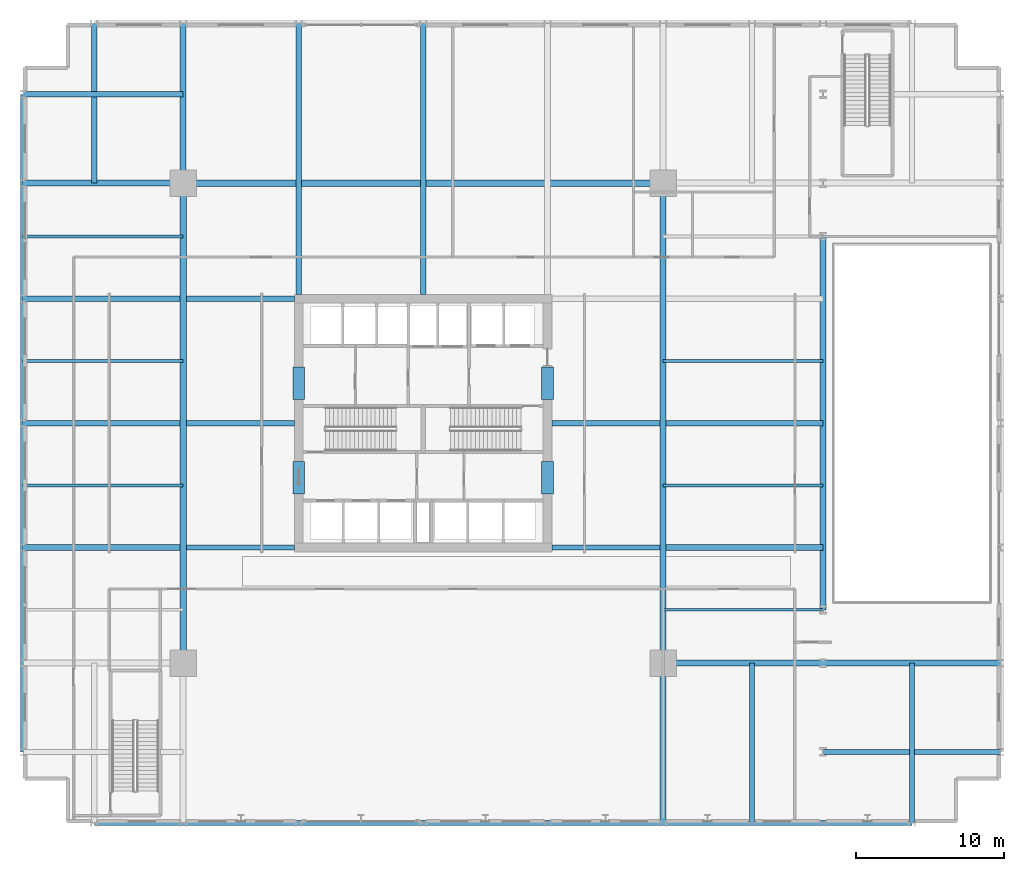
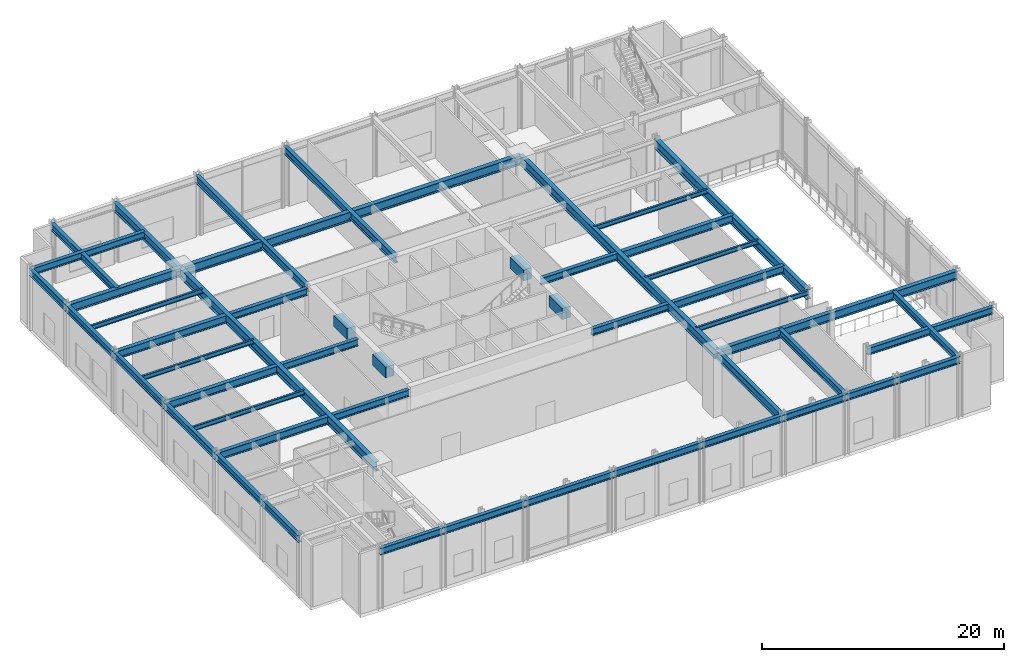
# One storey, part 4 of 20: 38 beams.
"""IFC4 building model written with IfcOpenShell, lengths in metres."""

from ifc_helpers import new_model, si_unit, direction, frame, origin, origin_2d, place, context, subcontext, project, spatial, rectangle, i_section, extrude, material, material_profile, profile_set, type_object, element, save


model = new_model("IFC4")

# Units and contexts
model_context = context("Model", 3, precision=1e-05, world=origin(), true_north=direction((0.0, 1.0)))
body_context = subcontext(model_context, "Body", "Model", "MODEL_VIEW")
ifc_project = project(units=[si_unit("LENGTHUNIT", "METRE"), si_unit("AREAUNIT", "SQUARE_METRE"), si_unit("VOLUMEUNIT", "CUBIC_METRE"), si_unit("PLANEANGLEUNIT", "RADIAN"), si_unit("MASSUNIT", "GRAM", prefix="KILO")], contexts=[model_context])

# Site, building, storey
site_placement = place(None, origin())
site = spatial("IfcSite", under=ifc_project, at=site_placement, CompositionType="ELEMENT")
building_placement = place(site_placement, origin())
building = spatial("IfcBuilding", under=site, at=building_placement, Name="Drelvath Grand Hotel", CompositionType="ELEMENT")
storey_placement = place(building_placement, frame((0.0, 0.0, 10.800048828125)))
storey = spatial("IfcBuildingStorey", under=building, at=storey_placement, Name="L02", CompositionType="ELEMENT", Elevation=10.800048828125)

# Beams
ifc_material_1 = material(Name="Steel ASTM A992 Gr 50", Category="steel")
ifc_material_profile_1 = material_profile(ifc_material_1, i_section(OverallWidth=0.19140625, OverallDepth=0.4599609375, WebThickness=0.010009765625, FlangeThickness=0.01611328125, FilletRadius=0.01611328125, at=origin_2d()), Name="W18X55")
ifc_profile_set_1 = profile_set([ifc_material_profile_1], Name="Steel ASTM A992 Gr 50")
beam_type_1 = type_object("IfcBeamType", Name="Composite Floor Joist W18X55", PredefinedType="JOIST", material=ifc_profile_set_1)
for number, where, z_axis, x_axis, name in (
    (1, (-27.0, 22.800048828125, 5.869873046875), (1.0, 0.0, 0.0), (0.0, 1.0, 0.0), "L02 West Composite Joist J1"),
    (2, (16.199951171875, 22.800048828125, 5.869873046875), (1.0, 0.0, 0.0), (0.0, 1.0, 0.0), "L02 East Composite Joist J1"),
    (3, (-27.0, 31.199951171875, 5.869873046875), (1.0, 0.0, 0.0), (0.0, 1.0, 0.0), "L02 West Composite Joist J2"),
    (4, (16.199951171875, 31.199951171875, 5.869873046875), (1.0, 0.0, 0.0), (0.0, 1.0, 0.0), "L02 East Composite Joist J2"),
    (5, (16.199951171875, 14.39990234375, 5.869873046875), (1.0, 0.0, 0.0), (0.0, 1.0, 0.0), "L02 East Composite Joist J3"),
    (6, (-27.0, 39.60009765625, 5.869873046875), (1.0, 0.0, 0.0), (0.0, 1.0, 0.0), "L02 West Composite Joist J4"),
):
    element("IfcBeam", number, at=place(storey_placement, frame(where, z_axis=z_axis, x_axis=x_axis)), inside=storey, type_object=beam_type_1, Name=name, PredefinedType="JOIST", context=body_context, shape_type="SweptSolid", body=[
        extrude(i_section(OverallWidth=0.19140625, OverallDepth=0.4599609375, WebThickness=0.010009765625, FlangeThickness=0.01611328125, FilletRadius=0.01611328125, at=origin_2d()), origin(), (0.0, 0.0, 1.0), 10.800048828125),
    ])
ifc_material_2 = material(Name="Concrete f'c 70 MPa", Category="concrete")
ifc_material_profile_2 = material_profile(ifc_material_2, rectangle(XDim=0.800048828125, YDim=1.10009765625, at=origin_2d()), Name="CB800X1100")
ifc_profile_set_2 = profile_set([ifc_material_profile_2], Name="Concrete f'c 70 MPa")
beam_type_2 = type_object("IfcBeamType", Name="Core Coupling Lintel CB800X1100", PredefinedType="LINTEL", material=ifc_profile_set_2)
for number, where, z_axis, x_axis, name in (
    (7, (-8.39990234375, 22.199951171875, 5.550048828125), (0.0, 1.0, 0.0), (-1.0, 0.0, 0.0), "L02 Core Coupling Lintel WS"),
    (8, (-8.39990234375, 28.60009765625, 5.550048828125), (0.0, 1.0, 0.0), (-1.0, 0.0, 0.0), "L02 Core Coupling Lintel WN"),
    (9, (8.39990234375, 22.199951171875, 5.550048828125), (0.0, 1.0, 0.0), (-1.0, 0.0, 0.0), "L02 Core Coupling Lintel ES"),
    (10, (8.39990234375, 28.60009765625, 5.550048828125), (0.0, 1.0, 0.0), (-1.0, 0.0, 0.0), "L02 Core Coupling Lintel EN"),
):
    element("IfcBeam", number, at=place(storey_placement, frame(where, z_axis=z_axis, x_axis=x_axis)), inside=storey, type_object=beam_type_2, Name=name, PredefinedType="LINTEL", context=body_context, shape_type="SweptSolid", body=[
        extrude(rectangle(XDim=0.800048828125, YDim=1.10009765625, at=origin_2d()), origin(), (0.0, 0.0, 1.0), 2.199951171875),
    ])
ifc_material_profile_3 = material_profile(ifc_material_1, i_section(OverallWidth=0.354736328125, OverallDepth=0.695556640625, WebThickness=0.015380859375, FlangeThickness=0.025146484375, FilletRadius=0.02392578125, at=origin_2d()), Name="W27X146")
ifc_profile_set_3 = profile_set([ifc_material_profile_3], Name="Steel ASTM A992 Gr 50")
beam_type_3 = type_object("IfcBeamType", Name="Perimeter Spandrel Beam W27X146", PredefinedType="SPANDREL", material=ifc_profile_set_3)
beam_1_placement = place(storey_placement, frame((-27.0, 4.800048828125, 5.752197265625), z_axis=(0.0, 1.0, 0.0), x_axis=(-1.0, 0.0, 0.0)))
element("IfcBeam", 11, at=beam_1_placement, inside=storey, type_object=beam_type_3, Name="L02 Podium Perimeter Spandrel SPW1", PredefinedType="SPANDREL", context=body_context, shape_type="SweptSolid", body=[
    extrude(i_section(OverallWidth=0.354736328125, OverallDepth=0.695556640625, WebThickness=0.015380859375, FlangeThickness=0.025146484375, FilletRadius=0.02392578125, at=origin_2d()), origin(), (0.0, 0.0, 1.0), 44.39990234375),
])
beam_2_placement = place(storey_placement, frame((-22.199951171875, 0.0, 5.752197265625), z_axis=(1.0, 0.0, 0.0), x_axis=(0.0, 1.0, 0.0)))
element("IfcBeam", 12, at=beam_2_placement, inside=storey, type_object=beam_type_3, Name="L02 Podium Perimeter Spandrel SPS1", PredefinedType="SPANDREL", context=body_context, shape_type="SweptSolid", body=[
    extrude(i_section(OverallWidth=0.354736328125, OverallDepth=0.695556640625, WebThickness=0.015380859375, FlangeThickness=0.025146484375, FilletRadius=0.02392578125, at=origin_2d()), origin(), (0.0, 0.0, 1.0), 55.199951171875),
])
ifc_material_profile_4 = material_profile(ifc_material_1, i_section(OverallWidth=0.354736328125, OverallDepth=0.695556640625, WebThickness=0.015380859375, FlangeThickness=0.025146484375, FilletRadius=0.02392578125, at=origin_2d()), Name="W27X146")
ifc_profile_set_4 = profile_set([ifc_material_profile_4], Name="Steel ASTM A992 Gr 50")
beam_type_4 = type_object("IfcBeamType", Name="Primary Floor Girder W27X146", PredefinedType="BEAM", material=ifc_profile_set_4)
for number, where, z_axis, x_axis, name in (
    (13, (-15.988525390625, 18.60009765625, 5.752197265625), (1.0, 0.0, 0.0), (0.0, 1.0, 0.0), "L02 West Core Girder D"),
    (14, (8.699951171875, 18.60009765625, 5.752197265625), (1.0, 0.0, 0.0), (0.0, 1.0, 0.0), "L02 East Core Girder D"),
    (15, (-15.988525390625, 27.0, 5.752197265625), (1.0, 0.0, 0.0), (0.0, 1.0, 0.0), "L02 West Core Girder E"),
    (16, (8.699951171875, 27.0, 5.752197265625), (1.0, 0.0, 0.0), (0.0, 1.0, 0.0), "L02 East Core Girder E"),
    (17, (-15.988525390625, 35.39990234375, 5.752197265625), (1.0, 0.0, 0.0), (0.0, 1.0, 0.0), "L02 West Core Girder F"),
):
    element("IfcBeam", number, at=place(storey_placement, frame(where, z_axis=z_axis, x_axis=x_axis)), inside=storey, type_object=beam_type_4, Name=name, PredefinedType="BEAM", context=body_context, shape_type="SweptSolid", body=[
        extrude(i_section(OverallWidth=0.354736328125, OverallDepth=0.695556640625, WebThickness=0.015380859375, FlangeThickness=0.025146484375, FilletRadius=0.02392578125, at=origin_2d()), origin(), (0.0, 0.0, 1.0), 7.28857421875),
    ])
beam_3_placement = place(storey_placement, frame((27.0, 4.800048828125, 5.752197265625), z_axis=(1.0, 0.0, 0.0), x_axis=(0.0, 1.0, 0.0)))
element("IfcBeam", 18, at=beam_3_placement, inside=storey, type_object=beam_type_4, Name="L02 East Corner Tie B", PredefinedType="BEAM", context=body_context, shape_type="SweptSolid", body=[
    extrude(i_section(OverallWidth=0.354736328125, OverallDepth=0.695556640625, WebThickness=0.015380859375, FlangeThickness=0.025146484375, FilletRadius=0.02392578125, at=origin_2d()), origin(), (0.0, 0.0, 1.0), 12.0),
])
for number, where, z_axis, x_axis, name in (
    (19, (-27.0, 49.199951171875, 5.752197265625), (1.0, 0.0, 0.0), (0.0, 1.0, 0.0), "L02 West Corner Tie H"),
    (20, (-22.199951171875, 43.199951171875, 5.752197265625), (0.0, 1.0, 0.0), (-1.0, 0.0, 0.0), "L02 North Corner Tie 2"),
    (21, (22.199951171875, 0.0, 5.752197265625), (0.0, 1.0, 0.0), (-1.0, 0.0, 0.0), "L02 South Corner Tie 8"),
    (22, (33.0, 0.0, 5.752197265625), (0.0, 1.0, 0.0), (-1.0, 0.0, 0.0), "L02 South Corner Tie 10"),
):
    element("IfcBeam", number, at=place(storey_placement, frame(where, z_axis=z_axis, x_axis=x_axis)), inside=storey, type_object=beam_type_4, Name=name, PredefinedType="BEAM", context=body_context, shape_type="SweptSolid", body=[
        extrude(i_section(OverallWidth=0.354736328125, OverallDepth=0.695556640625, WebThickness=0.015380859375, FlangeThickness=0.025146484375, FilletRadius=0.02392578125, at=origin_2d()), origin(), (0.0, 0.0, 1.0), 10.800048828125),
    ])
ifc_material_profile_5 = material_profile(ifc_material_1, i_section(OverallWidth=0.380615234375, OverallDepth=0.773193359375, WebThickness=0.0166015625, FlangeThickness=0.027099609375, FilletRadius=0.02490234375, at=origin_2d()), Name="W30X173")
ifc_profile_set_5 = profile_set([ifc_material_profile_5], Name="Steel ASTM A992 Gr 50")
beam_type_5 = type_object("IfcBeamType", Name="Primary Floor Girder W30X173", PredefinedType="BEAM", material=ifc_profile_set_5)
for number, where, z_axis, x_axis, name in (
    (23, (-8.39990234375, 35.699951171875, 5.71337890625), (0.0, 1.0, 0.0), (-1.0, 0.0, 0.0), "L02 North Span Girder Grid 4"),
    (24, (0.0, 35.699951171875, 5.71337890625), (0.0, 1.0, 0.0), (-1.0, 0.0, 0.0), "L02 North Span Girder Grid 5"),
):
    element("IfcBeam", number, at=place(storey_placement, frame(where, z_axis=z_axis, x_axis=x_axis)), inside=storey, type_object=beam_type_5, Name=name, PredefinedType="BEAM", context=body_context, shape_type="SweptSolid", body=[
        extrude(i_section(OverallWidth=0.380615234375, OverallDepth=0.773193359375, WebThickness=0.0166015625, FlangeThickness=0.027099609375, FilletRadius=0.02490234375, at=origin_2d()), origin(), (0.0, 0.0, 1.0), 18.300048828125),
    ])
for number, where, z_axis, x_axis, name in (
    (25, (-27.0, 18.60009765625, 5.71337890625), (1.0, 0.0, 0.0), (0.0, 1.0, 0.0), "L02 West Bay Girder D"),
    (26, (16.41162109375, 18.60009765625, 5.71337890625), (1.0, 0.0, 0.0), (0.0, 1.0, 0.0), "L02 East Bay Girder D"),
    (27, (-27.0, 27.0, 5.71337890625), (1.0, 0.0, 0.0), (0.0, 1.0, 0.0), "L02 West Bay Girder E"),
    (28, (16.41162109375, 27.0, 5.71337890625), (1.0, 0.0, 0.0), (0.0, 1.0, 0.0), "L02 East Bay Girder E"),
    (29, (-27.0, 35.39990234375, 5.71337890625), (1.0, 0.0, 0.0), (0.0, 1.0, 0.0), "L02 West Bay Girder F"),
):
    element("IfcBeam", number, at=place(storey_placement, frame(where, z_axis=z_axis, x_axis=x_axis)), inside=storey, type_object=beam_type_5, Name=name, PredefinedType="BEAM", context=body_context, shape_type="SweptSolid", body=[
        extrude(i_section(OverallWidth=0.380615234375, OverallDepth=0.773193359375, WebThickness=0.0166015625, FlangeThickness=0.027099609375, FilletRadius=0.02490234375, at=origin_2d()), origin(), (0.0, 0.0, 1.0), 10.58837890625),
    ])
ifc_material_profile_6 = material_profile(ifc_material_1, i_section(OverallWidth=0.39990234375, OverallDepth=0.85546875, WebThickness=0.018310546875, FlangeThickness=0.029296875, FilletRadius=0.02490234375, at=origin_2d()), Name="W33X201")
ifc_profile_set_6 = profile_set([ifc_material_profile_6], Name="Steel ASTM A992 Gr 50")
beam_type_6 = type_object("IfcBeamType", Name="Primary Floor Girder W33X201", PredefinedType="BEAM", material=ifc_profile_set_6)
beam_4_placement = place(storey_placement, frame((16.199951171875, 10.800048828125, 5.672119140625), z_axis=(1.0, 0.0, 0.0), x_axis=(0.0, 1.0, 0.0)))
element("IfcBeam", 30, at=beam_4_placement, inside=storey, type_object=beam_type_6, Name="L02 East Podium Girder 1 C", PredefinedType="BEAM", context=body_context, shape_type="SweptSolid", body=[
    extrude(i_section(OverallWidth=0.39990234375, OverallDepth=0.85546875, WebThickness=0.018310546875, FlangeThickness=0.029296875, FilletRadius=0.02490234375, at=origin_2d()), origin(), (0.0, 0.0, 1.0), 10.800048828125),
])
beam_5_placement = place(storey_placement, frame((27.0, 10.800048828125, 5.672119140625), z_axis=(1.0, 0.0, 0.0), x_axis=(0.0, 1.0, 0.0)))
element("IfcBeam", 31, at=beam_5_placement, inside=storey, type_object=beam_type_6, Name="L02 East Podium Girder 2 C", PredefinedType="BEAM", context=body_context, shape_type="SweptSolid", body=[
    extrude(i_section(OverallWidth=0.39990234375, OverallDepth=0.85546875, WebThickness=0.018310546875, FlangeThickness=0.029296875, FilletRadius=0.02490234375, at=origin_2d()), origin(), (0.0, 0.0, 1.0), 12.0),
])
for number, where, z_axis, x_axis, name in (
    (32, (-27.0, 43.199951171875, 5.672119140625), (1.0, 0.0, 0.0), (0.0, 1.0, 0.0), "L02 West Podium Girder G"),
    (33, (-16.199951171875, 43.199951171875, 5.672119140625), (0.0, 1.0, 0.0), (-1.0, 0.0, 0.0), "L02 North Podium Girder 3"),
    (34, (16.199951171875, 0.0, 5.672119140625), (0.0, 1.0, 0.0), (-1.0, 0.0, 0.0), "L02 South Podium Girder 7"),
):
    element("IfcBeam", number, at=place(storey_placement, frame(where, z_axis=z_axis, x_axis=x_axis)), inside=storey, type_object=beam_type_6, Name=name, PredefinedType="BEAM", context=body_context, shape_type="SweptSolid", body=[
        extrude(i_section(OverallWidth=0.39990234375, OverallDepth=0.85546875, WebThickness=0.018310546875, FlangeThickness=0.029296875, FilletRadius=0.02490234375, at=origin_2d()), origin(), (0.0, 0.0, 1.0), 10.800048828125),
    ])
ifc_material_profile_7 = material_profile(ifc_material_1, i_section(OverallWidth=0.423095703125, OverallDepth=0.9482421875, WebThickness=0.02392578125, FlangeThickness=0.042724609375, FilletRadius=0.028076171875, at=origin_2d()), Name="W36X302")
ifc_profile_set_7 = profile_set([ifc_material_profile_7], Name="Steel ASTM A992 Gr 50")
beam_type_7 = type_object("IfcBeamType", Name="Primary Floor Girder W36X302", PredefinedType="BEAM", material=ifc_profile_set_7)
for number, where, z_axis, x_axis, name in (
    (35, (-16.199951171875, 43.199951171875, 5.625732421875), (1.0, 0.0, 0.0), (0.0, 1.0, 0.0), "L02 Mega Frame Girder North"),
    (36, (-16.199951171875, 10.800048828125, 5.625732421875), (0.0, 1.0, 0.0), (-1.0, 0.0, 0.0), "L02 Mega Frame Girder West"),
    (37, (16.199951171875, 10.800048828125, 5.625732421875), (0.0, 1.0, 0.0), (-1.0, 0.0, 0.0), "L02 Mega Frame Girder East"),
):
    element("IfcBeam", number, at=place(storey_placement, frame(where, z_axis=z_axis, x_axis=x_axis)), inside=storey, type_object=beam_type_7, Name=name, PredefinedType="BEAM", context=body_context, shape_type="SweptSolid", body=[
        extrude(i_section(OverallWidth=0.423095703125, OverallDepth=0.9482421875, WebThickness=0.02392578125, FlangeThickness=0.042724609375, FilletRadius=0.028076171875, at=origin_2d()), origin(), (0.0, 0.0, 1.0), 32.39990234375),
    ])
beam_6_placement = place(storey_placement, frame((27.0, 14.39990234375, 5.625732421875), z_axis=(0.0, 1.0, 0.0), x_axis=(-1.0, 0.0, 0.0)))
element("IfcBeam", 38, at=beam_6_placement, inside=storey, type_object=beam_type_7, Name="L02 Atrium Edge Girder Grid 9", PredefinedType="BEAM", context=body_context, shape_type="SweptSolid", body=[
    extrude(i_section(OverallWidth=0.423095703125, OverallDepth=0.9482421875, WebThickness=0.02392578125, FlangeThickness=0.042724609375, FilletRadius=0.028076171875, at=origin_2d()), origin(), (0.0, 0.0, 1.0), 25.2001953125),
])

save(model, "model.ifc")
